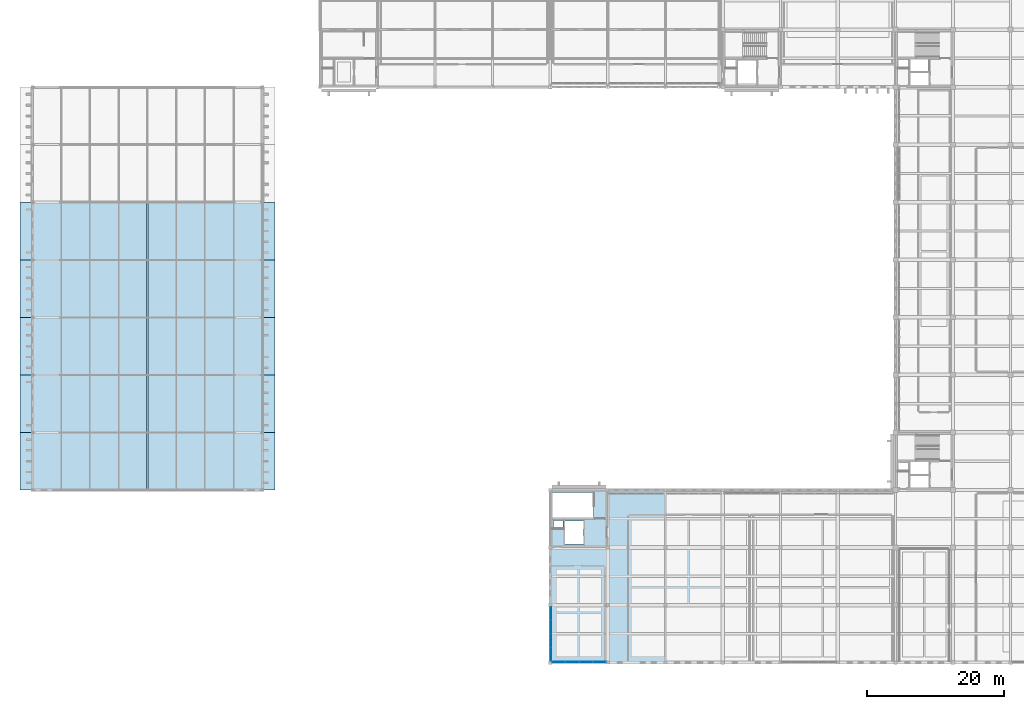
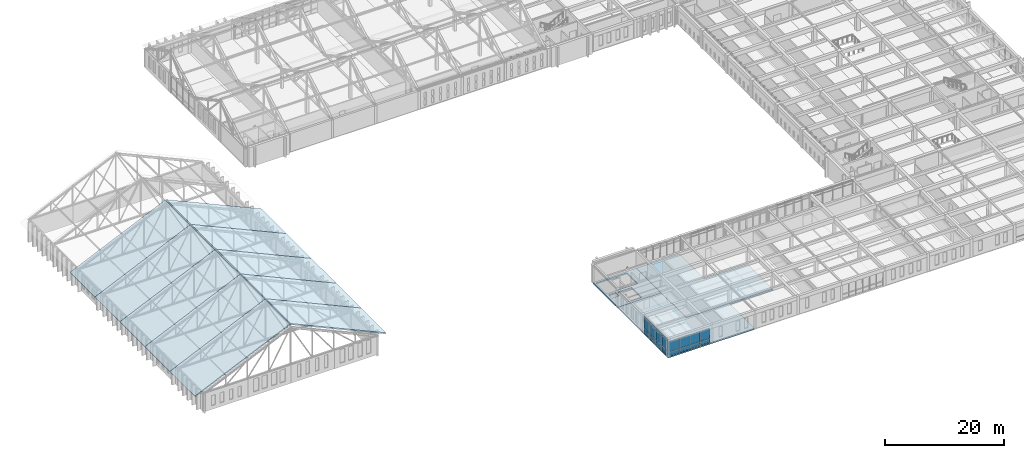
# One storey, part 54 of 110: 20 plates, 13 slabs, 2 elements without a shape of their own.
"""IFC4 building model written with IfcOpenShell, lengths in metres."""

from ifc_helpers import new_model, si_unit, direction, frame, origin, origin_2d, place, context, subcontext, project, spatial, polyline, rectangle, outline, extrude, material, layer, layer_set, type_object, element, aggregate, save


model = new_model("IFC4")

# Units and contexts
model_context = context("Model", 3, precision=1e-05, world=origin(), true_north=direction((0.0, 1.0)))
body_context = subcontext(model_context, "Body", "Model", "MODEL_VIEW")
ifc_project = project(units=[si_unit("LENGTHUNIT", "METRE"), si_unit("AREAUNIT", "SQUARE_METRE"), si_unit("VOLUMEUNIT", "CUBIC_METRE"), si_unit("PLANEANGLEUNIT", "RADIAN"), si_unit("MASSUNIT", "GRAM", prefix="KILO")], contexts=[model_context])

# Site, building, storey
site_placement = place(None, origin())
site = spatial("IfcSite", under=ifc_project, at=site_placement, CompositionType="ELEMENT")
building_placement = place(site_placement, origin())
building = spatial("IfcBuilding", under=site, at=building_placement, Name="Kveldsbrygga Polytechnic", CompositionType="ELEMENT")
storey_placement = place(building_placement, frame((0.0, 0.0, 9.860107421875)))
storey = spatial("IfcBuildingStorey", under=building, at=storey_placement, Name="L02", CompositionType="ELEMENT", Elevation=9.860107421875)

# Curtain wall, plates
ifc_material_1 = material(Name="Anodised aluminium AW-6060", Category="aluminium")
ifc_layer_1 = layer(ifc_material_1, 0.199951171875)
ifc_layer_set_1 = layer_set([ifc_layer_1], Name="Anodised aluminium AW-6060")
curtain_wall_type = type_object("IfcCurtainWallType", Name="CW-LANC-E", PredefinedType="USERDEFINED", material=ifc_layer_set_1)
curtain_wall_1_placement = place(storey_placement, origin())
curtain_wall_1 = element("IfcCurtainWall", 1, at=curtain_wall_1_placement, inside=storey, type_object=curtain_wall_type, Name="Curtain Wall CW-L02-X-09-00", ObjectType="UNITISED CURTAIN WALL", PredefinedType="USERDEFINED")
ifc_material_2 = material(Name="Insulated triple low-E glass", Category="glass")
ifc_layer_2 = layer(ifc_material_2, 0.0419921875)
ifc_layer_set_2 = layer_set([ifc_layer_2], Name="Insulated triple low-E glass")
plate_type = type_object("IfcPlateType", Name="CW-PAN-VIS42", PredefinedType="CURTAIN_PANEL", material=ifc_layer_set_2)
plate_1_placement = place(storey_placement, frame((76.835693359375, 0.10009765625, 0.059814453125), z_axis=(0.0, 0.0, 1.0), x_axis=(1.0, 0.0, 0.0)))
plate_1 = element("IfcPlate", 2, at=plate_1_placement, type_object=plate_type, Name="CW-05 panel 1.1", PredefinedType="CURTAIN_PANEL", context=body_context, shape_type="SweptSolid", body=[
    extrude(rectangle(XDim=1.9013671875, YDim=0.0419921875, at=origin_2d()), origin(), (0.0, 0.0, 1.0), 0.81005859375),
])
plate_2_placement = place(storey_placement, frame((76.835693359375, 0.10009765625, 0.9296875), z_axis=(0.0, 0.0, 1.0), x_axis=(1.0, 0.0, 0.0)))
plate_2 = element("IfcPlate", 3, at=plate_2_placement, type_object=plate_type, Name="CW-05 panel 1.2", PredefinedType="CURTAIN_PANEL", context=body_context, shape_type="SweptSolid", body=[
    extrude(rectangle(XDim=1.9013671875, YDim=0.0419921875, at=origin_2d()), origin(), (0.0, 0.0, 1.0), 2.030029296875),
])
plate_3_placement = place(storey_placement, frame((78.811767578125, 0.10009765625, 0.059814453125), z_axis=(0.0, 0.0, 1.0), x_axis=(1.0, 0.0, 0.0)))
plate_3 = element("IfcPlate", 4, at=plate_3_placement, type_object=plate_type, Name="CW-05 panel 2.1", PredefinedType="CURTAIN_PANEL", context=body_context, shape_type="SweptSolid", body=[
    extrude(rectangle(XDim=1.93115234375, YDim=0.0419921875, at=origin_2d()), origin(), (0.0, 0.0, 1.0), 0.81005859375),
])
plate_4_placement = place(storey_placement, frame((78.811767578125, 0.10009765625, 0.9296875), z_axis=(0.0, 0.0, 1.0), x_axis=(1.0, 0.0, 0.0)))
plate_4 = element("IfcPlate", 5, at=plate_4_placement, type_object=plate_type, Name="CW-05 panel 2.2", PredefinedType="CURTAIN_PANEL", context=body_context, shape_type="SweptSolid", body=[
    extrude(rectangle(XDim=1.93115234375, YDim=0.0419921875, at=origin_2d()), origin(), (0.0, 0.0, 1.0), 2.030029296875),
])
plate_5_placement = place(storey_placement, frame((80.80322265625, 0.10009765625, 0.059814453125), z_axis=(0.0, 0.0, 1.0), x_axis=(1.0, 0.0, 0.0)))
plate_5 = element("IfcPlate", 6, at=plate_5_placement, type_object=plate_type, Name="CW-05 panel 3.1", PredefinedType="CURTAIN_PANEL", context=body_context, shape_type="SweptSolid", body=[
    extrude(rectangle(XDim=1.93115234375, YDim=0.0419921875, at=origin_2d()), origin(), (0.0, 0.0, 1.0), 0.81005859375),
])
plate_6_placement = place(storey_placement, frame((80.80322265625, 0.10009765625, 0.9296875), z_axis=(0.0, 0.0, 1.0), x_axis=(1.0, 0.0, 0.0)))
plate_6 = element("IfcPlate", 7, at=plate_6_placement, type_object=plate_type, Name="CW-05 panel 3.2", PredefinedType="CURTAIN_PANEL", context=body_context, shape_type="SweptSolid", body=[
    extrude(rectangle(XDim=1.93115234375, YDim=0.0419921875, at=origin_2d()), origin(), (0.0, 0.0, 1.0), 2.030029296875),
])
plate_7_placement = place(storey_placement, frame((82.779296875, 0.10009765625, 0.059814453125), z_axis=(0.0, 0.0, 1.0), x_axis=(1.0, 0.0, 0.0)))
plate_7 = element("IfcPlate", 8, at=plate_7_placement, type_object=plate_type, Name="CW-05 panel 4.1", PredefinedType="CURTAIN_PANEL", context=body_context, shape_type="SweptSolid", body=[
    extrude(rectangle(XDim=1.9013671875, YDim=0.0419921875, at=origin_2d()), origin(), (0.0, 0.0, 1.0), 0.81005859375),
])
plate_8_placement = place(storey_placement, frame((82.779296875, 0.10009765625, 0.9296875), z_axis=(0.0, 0.0, 1.0), x_axis=(1.0, 0.0, 0.0)))
plate_8 = element("IfcPlate", 9, at=plate_8_placement, type_object=plate_type, Name="CW-05 panel 4.2", PredefinedType="CURTAIN_PANEL", context=body_context, shape_type="SweptSolid", body=[
    extrude(rectangle(XDim=1.9013671875, YDim=0.0419921875, at=origin_2d()), origin(), (0.0, 0.0, 1.0), 2.030029296875),
])
aggregate(curtain_wall_1, [plate_1, plate_2, plate_3, plate_4, plate_5, plate_6, plate_7, plate_8])

curtain_wall_2_placement = place(storey_placement, origin())
curtain_wall_2 = element("IfcCurtainWall", 10, at=curtain_wall_2_placement, inside=storey, type_object=curtain_wall_type, Name="Curtain Wall CW-L02-Y-09-00", ObjectType="UNITISED CURTAIN WALL", PredefinedType="USERDEFINED")
plate_9_placement = place(storey_placement, frame((75.699951171875, 1.233642578125, 0.059814453125), z_axis=(0.0, 0.0, 1.0), x_axis=(0.0, 1.0, 0.0)))
plate_9 = element("IfcPlate", 11, at=plate_9_placement, type_object=plate_type, Name="CW-05 panel 1.1", PredefinedType="CURTAIN_PANEL", context=body_context, shape_type="SweptSolid", body=[
    extrude(rectangle(XDim=1.8974609375, YDim=0.0419921875, at=origin_2d()), origin(), (0.0, 0.0, 1.0), 0.81005859375),
])
plate_10_placement = place(storey_placement, frame((75.699951171875, 1.233642578125, 0.929931640625), z_axis=(0.0, 0.0, 1.0), x_axis=(0.0, 1.0, 0.0)))
plate_10 = element("IfcPlate", 12, at=plate_10_placement, type_object=plate_type, Name="CW-05 panel 1.2", PredefinedType="CURTAIN_PANEL", context=body_context, shape_type="SweptSolid", body=[
    extrude(rectangle(XDim=1.8974609375, YDim=0.0419921875, at=origin_2d()), origin(), (0.0, 0.0, 1.0), 1.93994140625),
])
plate_11_placement = place(storey_placement, frame((75.699951171875, 1.233642578125, 2.929931640625), z_axis=(0.0, 0.0, 1.0), x_axis=(0.0, 1.0, 0.0)))
plate_11 = element("IfcPlate", 13, at=plate_11_placement, type_object=plate_type, Name="CW-05 panel 1.3", PredefinedType="CURTAIN_PANEL", context=body_context, shape_type="SweptSolid", body=[
    extrude(rectangle(XDim=1.8974609375, YDim=0.0419921875, at=origin_2d()), origin(), (0.0, 0.0, 1.0), 0.4599609375),
])
plate_12_placement = place(storey_placement, frame((75.699951171875, 3.206298828125, 0.059814453125), z_axis=(0.0, 0.0, 1.0), x_axis=(0.0, 1.0, 0.0)))
plate_12 = element("IfcPlate", 14, at=plate_12_placement, type_object=plate_type, Name="CW-05 panel 2.1", PredefinedType="CURTAIN_PANEL", context=body_context, shape_type="SweptSolid", body=[
    extrude(rectangle(XDim=1.927490234375, YDim=0.0419921875, at=origin_2d()), origin(), (0.0, 0.0, 1.0), 0.81005859375),
])
plate_13_placement = place(storey_placement, frame((75.699951171875, 3.206298828125, 0.929931640625), z_axis=(0.0, 0.0, 1.0), x_axis=(0.0, 1.0, 0.0)))
plate_13 = element("IfcPlate", 15, at=plate_13_placement, type_object=plate_type, Name="CW-05 panel 2.2", PredefinedType="CURTAIN_PANEL", context=body_context, shape_type="SweptSolid", body=[
    extrude(rectangle(XDim=1.927490234375, YDim=0.0419921875, at=origin_2d()), origin(), (0.0, 0.0, 1.0), 1.93994140625),
])
plate_14_placement = place(storey_placement, frame((75.699951171875, 3.206298828125, 2.929931640625), z_axis=(0.0, 0.0, 1.0), x_axis=(0.0, 1.0, 0.0)))
plate_14 = element("IfcPlate", 16, at=plate_14_placement, type_object=plate_type, Name="CW-05 panel 2.3", PredefinedType="CURTAIN_PANEL", context=body_context, shape_type="SweptSolid", body=[
    extrude(rectangle(XDim=1.927490234375, YDim=0.0419921875, at=origin_2d()), origin(), (0.0, 0.0, 1.0), 0.4599609375),
])
plate_15_placement = place(storey_placement, frame((75.699951171875, 5.19384765625, 0.059814453125), z_axis=(0.0, 0.0, 1.0), x_axis=(0.0, 1.0, 0.0)))
plate_15 = element("IfcPlate", 17, at=plate_15_placement, type_object=plate_type, Name="CW-05 panel 3.1", PredefinedType="CURTAIN_PANEL", context=body_context, shape_type="SweptSolid", body=[
    extrude(rectangle(XDim=1.927490234375, YDim=0.0419921875, at=origin_2d()), origin(), (0.0, 0.0, 1.0), 0.81005859375),
])
plate_16_placement = place(storey_placement, frame((75.699951171875, 5.19384765625, 0.929931640625), z_axis=(0.0, 0.0, 1.0), x_axis=(0.0, 1.0, 0.0)))
plate_16 = element("IfcPlate", 18, at=plate_16_placement, type_object=plate_type, Name="CW-05 panel 3.2", PredefinedType="CURTAIN_PANEL", context=body_context, shape_type="SweptSolid", body=[
    extrude(rectangle(XDim=1.927490234375, YDim=0.0419921875, at=origin_2d()), origin(), (0.0, 0.0, 1.0), 1.93994140625),
])
plate_17_placement = place(storey_placement, frame((75.699951171875, 5.19384765625, 2.929931640625), z_axis=(0.0, 0.0, 1.0), x_axis=(0.0, 1.0, 0.0)))
plate_17 = element("IfcPlate", 19, at=plate_17_placement, type_object=plate_type, Name="CW-05 panel 3.3", PredefinedType="CURTAIN_PANEL", context=body_context, shape_type="SweptSolid", body=[
    extrude(rectangle(XDim=1.927490234375, YDim=0.0419921875, at=origin_2d()), origin(), (0.0, 0.0, 1.0), 0.4599609375),
])
plate_18_placement = place(storey_placement, frame((75.699951171875, 7.166259765625, 0.059814453125), z_axis=(0.0, 0.0, 1.0), x_axis=(0.0, 1.0, 0.0)))
plate_18 = element("IfcPlate", 20, at=plate_18_placement, type_object=plate_type, Name="CW-05 panel 4.1", PredefinedType="CURTAIN_PANEL", context=body_context, shape_type="SweptSolid", body=[
    extrude(rectangle(XDim=1.8974609375, YDim=0.0419921875, at=origin_2d()), origin(), (0.0, 0.0, 1.0), 0.81005859375),
])
plate_19_placement = place(storey_placement, frame((75.699951171875, 7.166259765625, 0.929931640625), z_axis=(0.0, 0.0, 1.0), x_axis=(0.0, 1.0, 0.0)))
plate_19 = element("IfcPlate", 21, at=plate_19_placement, type_object=plate_type, Name="CW-05 panel 4.2", PredefinedType="CURTAIN_PANEL", context=body_context, shape_type="SweptSolid", body=[
    extrude(rectangle(XDim=1.8974609375, YDim=0.0419921875, at=origin_2d()), origin(), (0.0, 0.0, 1.0), 1.93994140625),
])
plate_20_placement = place(storey_placement, frame((75.699951171875, 7.166259765625, 2.929931640625), z_axis=(0.0, 0.0, 1.0), x_axis=(0.0, 1.0, 0.0)))
plate_20 = element("IfcPlate", 22, at=plate_20_placement, type_object=plate_type, Name="CW-05 panel 4.3", PredefinedType="CURTAIN_PANEL", context=body_context, shape_type="SweptSolid", body=[
    extrude(rectangle(XDim=1.8974609375, YDim=0.0419921875, at=origin_2d()), origin(), (0.0, 0.0, 1.0), 0.4599609375),
])
aggregate(curtain_wall_2, [plate_9, plate_10, plate_11, plate_12, plate_13, plate_14, plate_15, plate_16, plate_17, plate_18, plate_19, plate_20])

# Slabs
ifc_material_3 = material(Name="Concrete C35/45", Category="concrete")
ifc_layer_3 = layer(ifc_material_3, 0.239990234375)
ifc_layer_set_3 = layer_set([ifc_layer_3], Name="Concrete C35/45")
slab_type_1 = type_object("IfcSlabType", Name="SLB-ROOF-240", PredefinedType="ROOF", material=ifc_layer_set_3)
slab_1_placement = place(storey_placement, frame((-1.800048828125, 25.199951171875, 3.728515625), z_axis=(-0.412160019551, 0.0, 0.911111474126), x_axis=(0.911111474126, 0.0, 0.412160019551)))
element("IfcSlab", 23, at=slab_1_placement, inside=storey, type_object=slab_type_1, Name="Pitched Roof Slab V1W-RSLB-1-1", PredefinedType="ROOF", context=body_context, shape_type="SweptSolid", body=[
    extrude(outline(polyline([(0.0, 0.0), (20.284237106776043, 0.0), (20.284237106776043, 8.400146484375), (0.0, 8.400146484375), (0.0, 0.0)])), origin(), (0.0, 0.0, -1.0), 0.239990234375),
])
slab_2_placement = place(storey_placement, frame((16.9189453125, 25.199951171875, 12.0888671875), z_axis=(0.41216453939, 0.0, 0.91110942947), x_axis=(0.91110942947, 0.0, -0.41216453939)))
element("IfcSlab", 24, at=slab_2_placement, inside=storey, type_object=slab_type_1, Name="Pitched Roof Slab V1W-RSLB-1-2", PredefinedType="ROOF", context=body_context, shape_type="SweptSolid", body=[
    extrude(outline(polyline([(0.0, 0.0), (20.284014667700895, 0.0), (20.284014667700895, 8.400146484375002), (0.0, 8.400146484375002), (0.0, 0.0)])), origin(), (0.0, 0.0, -1.0), 0.239990234375),
])
slab_3_placement = place(storey_placement, frame((-1.800048828125, 33.60009765625, 3.728515625), z_axis=(-0.412160019551, 0.0, 0.911111474126), x_axis=(0.911111474126, 0.0, 0.412160019551)))
element("IfcSlab", 25, at=slab_3_placement, inside=storey, type_object=slab_type_1, Name="Pitched Roof Slab V1W-RSLB-2-1", PredefinedType="ROOF", context=body_context, shape_type="SweptSolid", body=[
    extrude(outline(polyline([(0.0, 0.0), (20.284237106776043, 0.0), (20.284237106776043, 8.39990234375), (0.0, 8.39990234375), (0.0, 0.0)])), origin(), (0.0, 0.0, -1.0), 0.239990234375),
])
slab_4_placement = place(storey_placement, frame((16.9189453125, 33.60009765625, 12.0888671875), z_axis=(0.41216453939, 0.0, 0.91110942947), x_axis=(0.91110942947, 0.0, -0.41216453939)))
element("IfcSlab", 26, at=slab_4_placement, inside=storey, type_object=slab_type_1, Name="Pitched Roof Slab V1W-RSLB-2-2", PredefinedType="ROOF", context=body_context, shape_type="SweptSolid", body=[
    extrude(outline(polyline([(0.0, 0.0), (20.284014667700895, 0.0), (20.284014667700895, 8.39990234375), (0.0, 8.39990234375), (0.0, 0.0)])), origin(), (0.0, 0.0, -1.0), 0.239990234375),
])
slab_5_placement = place(storey_placement, frame((-1.800048828125, 42.0, 3.728515625), z_axis=(-0.412160019551, 0.0, 0.911111474126), x_axis=(0.911111474126, 0.0, 0.412160019551)))
element("IfcSlab", 27, at=slab_5_placement, inside=storey, type_object=slab_type_1, Name="Pitched Roof Slab V1W-RSLB-3-1", PredefinedType="ROOF", context=body_context, shape_type="SweptSolid", body=[
    extrude(outline(polyline([(0.0, 0.0), (20.284237106776043, 0.0), (20.284237106776043, 8.39990234375), (0.0, 8.39990234375), (0.0, 0.0)])), origin(), (0.0, 0.0, -1.0), 0.239990234375),
])
slab_6_placement = place(storey_placement, frame((16.9189453125, 42.0, 12.0888671875), z_axis=(0.41216453939, 0.0, 0.91110942947), x_axis=(0.91110942947, 0.0, -0.41216453939)))
element("IfcSlab", 28, at=slab_6_placement, inside=storey, type_object=slab_type_1, Name="Pitched Roof Slab V1W-RSLB-3-2", PredefinedType="ROOF", context=body_context, shape_type="SweptSolid", body=[
    extrude(outline(polyline([(0.0, 0.0), (20.284014667700895, 0.0), (20.284014667700895, 8.39990234375), (0.0, 8.39990234375), (0.0, 0.0)])), origin(), (0.0, 0.0, -1.0), 0.239990234375),
])
slab_7_placement = place(storey_placement, frame((-1.800048828125, 50.39990234375, 3.728515625), z_axis=(-0.412160019551, 0.0, 0.911111474126), x_axis=(0.911111474126, 0.0, 0.412160019551)))
element("IfcSlab", 29, at=slab_7_placement, inside=storey, type_object=slab_type_1, Name="Pitched Roof Slab V1W-RSLB-4-1", PredefinedType="ROOF", context=body_context, shape_type="SweptSolid", body=[
    extrude(outline(polyline([(0.0, 0.0), (20.284237106776043, 0.0), (20.284237106776043, 8.400146484375), (0.0, 8.400146484375), (0.0, 0.0)])), origin(), (0.0, 0.0, -1.0), 0.239990234375),
])
slab_8_placement = place(storey_placement, frame((16.9189453125, 50.39990234375, 12.0888671875), z_axis=(0.41216453939, 0.0, 0.91110942947), x_axis=(0.91110942947, 0.0, -0.41216453939)))
element("IfcSlab", 30, at=slab_8_placement, inside=storey, type_object=slab_type_1, Name="Pitched Roof Slab V1W-RSLB-4-2", PredefinedType="ROOF", context=body_context, shape_type="SweptSolid", body=[
    extrude(outline(polyline([(0.0, 0.0), (20.284014667700895, 0.0), (20.284014667700895, 8.400146484375002), (0.0, 8.400146484375002), (0.0, 0.0)])), origin(), (0.0, 0.0, -1.0), 0.239990234375),
])
slab_9_placement = place(storey_placement, frame((-1.800048828125, 58.800048828125, 3.728515625), z_axis=(-0.412160019551, 0.0, 0.911111474126), x_axis=(0.911111474126, 0.0, 0.412160019551)))
element("IfcSlab", 31, at=slab_9_placement, inside=storey, type_object=slab_type_1, Name="Pitched Roof Slab V1W-RSLB-5-1", PredefinedType="ROOF", context=body_context, shape_type="SweptSolid", body=[
    extrude(outline(polyline([(0.0, 0.0), (20.284237106776043, 0.0), (20.284237106776043, 8.39990234375), (0.0, 8.39990234375), (0.0, 0.0)])), origin(), (0.0, 0.0, -1.0), 0.239990234375),
])
slab_10_placement = place(storey_placement, frame((16.9189453125, 58.800048828125, 12.0888671875), z_axis=(0.41216453939, 0.0, 0.91110942947), x_axis=(0.91110942947, 0.0, -0.41216453939)))
element("IfcSlab", 32, at=slab_10_placement, inside=storey, type_object=slab_type_1, Name="Pitched Roof Slab V1W-RSLB-5-2", PredefinedType="ROOF", context=body_context, shape_type="SweptSolid", body=[
    extrude(outline(polyline([(0.0, 0.0), (20.284014667700895, 0.0), (20.284014667700895, 8.39990234375), (0.0, 8.39990234375), (0.0, 0.0)])), origin(), (0.0, 0.0, -1.0), 0.239990234375),
])
ifc_layer_4 = layer(ifc_material_3, 0.280029296875)
ifc_layer_set_4 = layer_set([ifc_layer_4], Name="Concrete C35/45")
slab_type_2 = type_object("IfcSlabType", Name="SLB-STD-280", PredefinedType="FLOOR", material=ifc_layer_set_4)
slab_11_placement = place(storey_placement, frame((0.0, 0.0, -0.280029296875)))
element("IfcSlab", 33, at=slab_11_placement, inside=storey, type_object=slab_type_2, Name="Slab SLB-L02-V3-L01-1", PredefinedType="FLOOR", context=body_context, shape_type="SweptSolid", body=[
    extrude(outline(polyline([(75.60009765625, 0.0), (75.60009765625, 8.39990234375), (75.60009765625, 16.800048828125), (84.0, 16.800048828125), (84.0, 8.39990234375), (92.39990234375, 8.39990234375), (92.39990234375, 0.0), (84.0, 0.0), (75.60009765625, 0.0)])), origin(), (0.0, 0.0, 1.0), 0.280029296875),
])
slab_12_placement = place(storey_placement, frame((0.0, 0.0, -0.280029296875)))
element("IfcSlab", 34, at=slab_12_placement, inside=storey, type_object=slab_type_2, Name="Slab SLB-L02-V3-L02-1", PredefinedType="FLOOR", context=body_context, shape_type="SweptSolid", body=[
    extrude(outline(polyline([(84.0, 8.39990234375), (84.0, 16.800048828125), (84.0, 25.199951171875), (92.39990234375, 25.199951171875), (92.39990234375, 16.800048828125), (100.800048828125, 16.800048828125), (100.800048828125, 8.39990234375), (92.39990234375, 8.39990234375), (84.0, 8.39990234375)])), origin(), (0.0, 0.0, 1.0), 0.280029296875),
])
slab_13_placement = place(storey_placement, frame((0.0, 0.0, -0.280029296875)))
element("IfcSlab", 35, at=slab_13_placement, inside=storey, type_object=slab_type_2, Name="Slab SLB-L02-V3-Z2-2", PredefinedType="FLOOR", context=body_context, shape_type="SweptSolid", body=[
    extrude(outline(polyline([(75.60009765625, 25.199951171875), (84.0, 25.199951171875), (84.0, 16.800048828125), (75.60009765625, 16.800048828125), (75.60009765625, 25.199951171875)]), holes=[polyline([(81.925048828125, 24.800048828125), (75.89990234375, 24.800048828125), (75.89990234375, 21.199951171875), (81.925048828125, 21.199951171875), (81.925048828125, 24.800048828125)]), polyline([(77.75, 17.35009765625), (80.449951171875, 17.35009765625), (80.449951171875, 20.64990234375), (77.75, 20.64990234375), (77.75, 17.35009765625)]), polyline([(76.050048828125, 19.64990234375), (77.449951171875, 19.64990234375), (77.449951171875, 20.75), (76.050048828125, 20.75), (76.050048828125, 19.64990234375)])]), origin(), (0.0, 0.0, 1.0), 0.280029296875),
])

save(model, "model.ifc")
